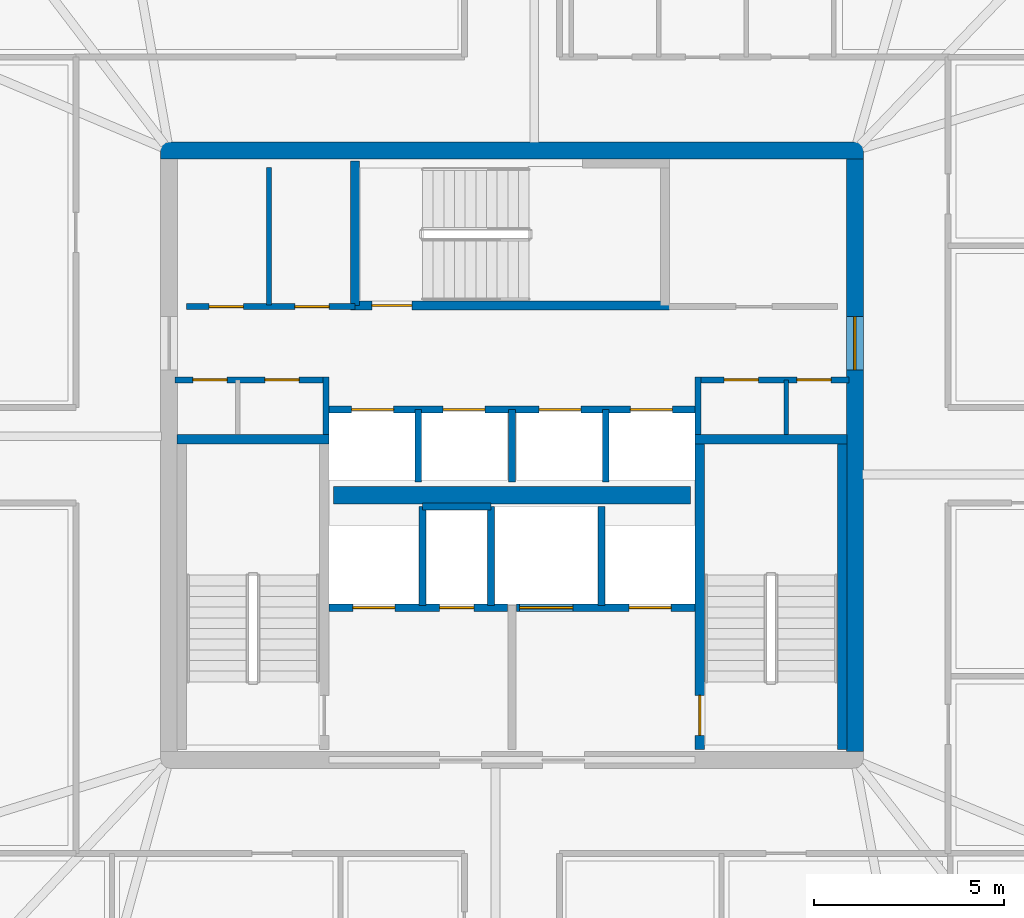
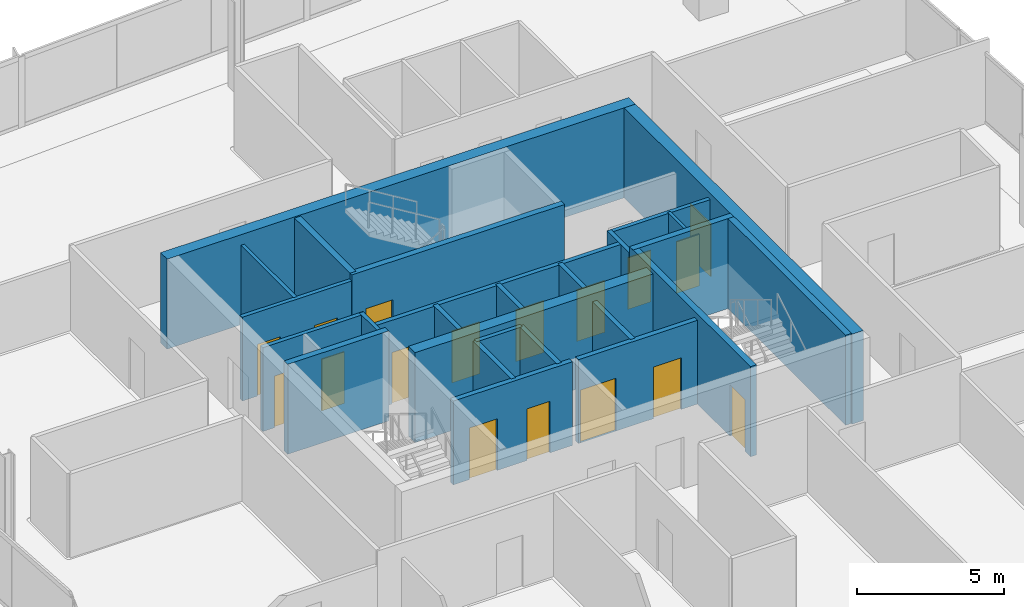
# One storey, part 18 of 23: 26 walls, 17 doors, 17 openings.
"""IFC4 building model written with IfcOpenShell, lengths in metres."""

import ifcopenshell
import ifcopenshell.guid

model = None  # the IFC model being written
_history = None  # IfcOwnerHistory: only IFC2X3 demands one
_inside = {}  # id of a spatial element -> (the spatial element, [elements in it])
_under = {}  # id of a project, library or spatial element -> (it, [spatial elements below it])
_declared = {}  # id of a project -> (the project, [libraries it declares])
_typed = {}  # id of a type object -> (the type object, [elements of that type])
_made_of = {}  # id of a material, layer set ... -> (it, [elements and type objects made of it])


def new_model(schema):
    """Start an empty IFC model of exactly this schema.

    Asked for "IFC4X3", IfcOpenShell would pick the latest addendum, in which some entities
    have other attributes; the version numbers below select the first issue.
    IFC2X3 requires an IfcOwnerHistory on every rooted entity: one is made here for all.
    """
    global model, _history
    if schema == "IFC4X3":
        model = ifcopenshell.file(schema_version=(4, 3, 0, 0))
    else:
        model = ifcopenshell.file(schema=schema)
    _inside.clear()
    _under.clear()
    _declared.clear()
    _typed.clear()
    _made_of.clear()
    _history = None
    if model.schema == "IFC2X3":
        org = make("IfcOrganization", Name="unknown")
        user = make(
            "IfcPersonAndOrganization",
            ThePerson=make("IfcPerson", FamilyName="unknown"),
            TheOrganization=org,
        )
        app = make(
            "IfcApplication",
            ApplicationDeveloper=org,
            Version="unknown",
            ApplicationFullName="unknown",
            ApplicationIdentifier="unknown",
        )
        _history = make(
            "IfcOwnerHistory",
            OwningUser=user,
            OwningApplication=app,
            ChangeAction="ADDED",
            CreationDate=0,
        )
    return model


def make(cls, **values):
    """One entity of the class cls with the attributes given. An attribute that is None is left unset."""
    return model.create_entity(
        cls, **{name: value for name, value in values.items() if value is not None}
    )


def rooted(cls, **values):
    """An entity with a GlobalId (a new one), such as an element, a storey or a relation."""
    return make(cls, GlobalId=ifcopenshell.guid.new(), OwnerHistory=_history, **values)


def si_unit(unit_type, name, prefix=None):
    """IfcSIUnit, for example si_unit("LENGTHUNIT", "METRE", prefix="MILLI")."""
    return make("IfcSIUnit", UnitType=unit_type, Prefix=prefix, Name=name)


def assignment(units):
    """IfcUnitAssignment: the units of a project."""
    return None if units is None else make("IfcUnitAssignment", Units=units)


def point(xyz):
    """IfcCartesianPoint."""
    return None if xyz is None else make("IfcCartesianPoint", Coordinates=xyz)


def direction(xyz):
    """IfcDirection."""
    return None if xyz is None else make("IfcDirection", DirectionRatios=xyz)


def frame(location, z_axis=None, x_axis=None):
    """IfcAxis2Placement3D, a coordinate frame: its origin and axes. An axis left out is left unset."""
    return make(
        "IfcAxis2Placement3D",
        Location=point(location),
        Axis=direction(z_axis),
        RefDirection=direction(x_axis),
    )


def frame_2d(location, x_axis=None):
    """IfcAxis2Placement2D, a coordinate frame in the plane: its origin and x axis."""
    return make(
        "IfcAxis2Placement2D", Location=point(location), RefDirection=direction(x_axis)
    )


def origin():
    """The frame at (0, 0, 0) with its axes left unset."""
    return frame((0.0, 0.0, 0.0))


def place(relative_to, where):
    """IfcLocalPlacement: puts the frame where relative to a parent placement (None: the world)."""
    return make(
        "IfcLocalPlacement", PlacementRelTo=relative_to, RelativePlacement=where
    )


def context(
    kind, dimensions, precision=None, world=None, true_north=None, identifier=None
):
    """IfcGeometricRepresentationContext, for example the 3D "Model" context."""
    return make(
        "IfcGeometricRepresentationContext",
        ContextIdentifier=identifier,
        ContextType=kind,
        CoordinateSpaceDimension=dimensions,
        Precision=precision,
        WorldCoordinateSystem=world,
        TrueNorth=true_north,
    )


def subcontext(parent, identifier, kind, view, scale=None):
    """IfcGeometricRepresentationSubContext, for example "Body" below "Model"."""
    return make(
        "IfcGeometricRepresentationSubContext",
        ContextIdentifier=identifier,
        ContextType=kind,
        ParentContext=parent,
        TargetScale=scale,
        TargetView=view,
    )


def project(units=None, contexts=None):
    """IfcProject with its units and contexts."""
    return rooted(
        "IfcProject",
        Name="project",
        RepresentationContexts=contexts,
        UnitsInContext=assignment(units),
    )


def spatial(cls, under=None, at=None, **own):
    """A site, building, storey or space (cls), placed at a placement, below another one or the project."""
    s = rooted(cls, ObjectPlacement=at, **own)
    if under is not None:
        _under.setdefault(under.id(), (under, []))[1].append(s)
    return s


def profile(cls, at=None, kind="AREA", **sizes):
    """A parametric profile (cls). Its sizes go by their IFC names, for example OverallWidth=200.0."""
    return make(cls, ProfileType=kind, Position=at, **sizes)


def rectangle(**sizes):
    """IfcRectangleProfileDef."""
    return profile("IfcRectangleProfileDef", **sizes)


def extrude(swept, where, along, depth):
    """IfcExtrudedAreaSolid: the profile swept, set in the frame where, extruded along a direction by depth."""
    return make(
        "IfcExtrudedAreaSolid",
        SweptArea=swept,
        Position=where,
        ExtrudedDirection=direction(along),
        Depth=depth,
    )


def shape(context_of_items, identifier, shape_type, items):
    """IfcShapeRepresentation: the items that make up one representation, for example the "Body"."""
    return make(
        "IfcShapeRepresentation",
        ContextOfItems=context_of_items,
        RepresentationIdentifier=identifier,
        RepresentationType=shape_type,
        Items=items,
    )


def material(Name=None, Category=None):
    """IfcMaterial."""
    return make("IfcMaterial", Name=Name, Category=Category)


def layer(
    of_material, thickness, ventilated=None, Name=None, Category=None, Priority=None
):
    """IfcMaterialLayer: one layer of a wall or slab, of a material (None: an air gap)."""
    return make(
        "IfcMaterialLayer",
        Material=of_material,
        LayerThickness=thickness,
        IsVentilated=ventilated,
        Name=Name,
        Category=Category,
        Priority=Priority,
    )


def layer_set(layers, Name=None):
    """IfcMaterialLayerSet."""
    return make("IfcMaterialLayerSet", MaterialLayers=layers, LayerSetName=Name)


def made_of(thing, what):
    """Note that an element or type object is made of a material, layer set ...; save() writes the relation."""
    if what is not None:
        _made_of.setdefault(what.id(), (what, []))[1].append(thing)
    return thing


def type_object(cls, material=None, **own):
    """A type object (cls), such as IfcWallType, which elements share."""
    return made_of(rooted(cls, **own), material)


def element(
    cls,
    number,
    at=None,
    inside=None,
    cuts=None,
    type_object=None,
    material=None,
    context=None,
    identifier="Body",
    shape_type=None,
    held_by="IfcProductDefinitionShape",
    body=None,
    shapes=None,
    **own,
):
    """One element of the class cls, such as IfcWall. Its Tag is "e" and its number.

    at: its placement. inside: the storey or other place that contains it. cuts: it is an
    opening in that element (IfcRelVoidsElement). A single representation is given by context,
    identifier, shape_type and body (its items); several are given by shapes. held_by: the class
    of the entity that holds the representations. save() writes the other relations.
    """
    e = rooted(cls, Tag="e%d" % number, ObjectPlacement=at, **own)
    if body is not None:
        shapes = [shape(context, identifier, shape_type, body)]
    if shapes is not None:
        e.Representation = make(held_by, Representations=shapes)
    if inside is not None:
        _inside.setdefault(inside.id(), (inside, []))[1].append(e)
    if cuts is not None:
        rooted(
            "IfcRelVoidsElement", RelatingBuildingElement=cuts, RelatedOpeningElement=e
        )
    if type_object is not None:
        _typed.setdefault(type_object.id(), (type_object, []))[1].append(e)
    return made_of(e, material)


def fill(opening, filler):
    """IfcRelFillsElement: the door or window that sits in an opening."""
    return rooted(
        "IfcRelFillsElement",
        RelatingOpeningElement=opening,
        RelatedBuildingElement=filler,
    )


def aggregate(whole, parts):
    """IfcRelAggregates: a whole, such as a stair, and the parts it consists of."""
    return rooted("IfcRelAggregates", RelatingObject=whole, RelatedObjects=parts)


def save(model, path):
    """Write the relations noted so far, then the file.

    IfcRelAggregates (storeys below a building ...), IfcRelContainedInSpatialStructure (elements
    in a storey), IfcRelDefinesByType, IfcRelAssociatesMaterial and IfcRelDeclares: one each for
    every whole, place, type object, material and project.
    """
    for whole, parts in _under.values():
        aggregate(whole, parts)
    for where, things in _inside.values():
        rooted(
            "IfcRelContainedInSpatialStructure",
            RelatedElements=things,
            RelatingStructure=where,
        )
    for kind, things in _typed.values():
        rooted("IfcRelDefinesByType", RelatedObjects=things, RelatingType=kind)
    for what, things in _made_of.values():
        rooted("IfcRelAssociatesMaterial", RelatedObjects=things, RelatingMaterial=what)
    for by, libraries in _declared.values():
        rooted("IfcRelDeclares", RelatingContext=by, RelatedDefinitions=libraries)
    model.write(path)


model = new_model("IFC4")

# Units and contexts
model_context = context("Model", 3, precision=1e-05, world=origin(), true_north=direction((0.0, 1.0)))
body_context = subcontext(model_context, "Body", "Model", "MODEL_VIEW")
ifc_project = project(units=[si_unit("LENGTHUNIT", "METRE"), si_unit("AREAUNIT", "SQUARE_METRE"), si_unit("VOLUMEUNIT", "CUBIC_METRE"), si_unit("PLANEANGLEUNIT", "RADIAN"), si_unit("MASSUNIT", "GRAM", prefix="KILO")], contexts=[model_context])

# Site, building, storey
site_placement = place(None, origin())
site = spatial("IfcSite", under=ifc_project, at=site_placement, CompositionType="ELEMENT")
building_placement = place(site_placement, origin())
building = spatial("IfcBuilding", under=site, at=building_placement, Name="Haldenkirk Collegiate Tower", CompositionType="ELEMENT")
storey_placement = place(building_placement, frame((0.0, 0.0, 340.199951171875)))
storey = spatial("IfcBuildingStorey", under=building, at=storey_placement, Name="L86", CompositionType="ELEMENT", Elevation=340.199951171875)

# Wall
ifc_material_1 = material(Name="Concrete f'c 55 MPa", Category="concrete")
ifc_layer_1 = layer(ifc_material_1, 0.449951171875)
ifc_layer_set_1 = layer_set([ifc_layer_1], Name="Concrete f'c 55 MPa")
wall_type_1 = type_object("IfcWallType", Name="WL-CORE-450", PredefinedType="SHEAR", material=ifc_layer_set_1)
wall_1_placement = place(storey_placement, frame((26.77490234375, 34.0, 0.0), z_axis=(0.0, 0.0, 1.0), x_axis=(1.0, 0.0, 0.0)))
element("IfcWall", 1, at=wall_1_placement, inside=storey, type_object=wall_type_1, Name="L86 central core shear wall N", PredefinedType="SHEAR", context=body_context, shape_type="SweptSolid", body=[
    extrude(rectangle(XDim=18.4501953125, YDim=0.449951171875, at=frame_2d((9.22509765625, 0.0))), origin(), (0.0, 0.0, 1.0), 3.75),
])

# Wall, opening, door
wall_2_placement = place(storey_placement, frame((45.0, 18.22509765625, 0.0), z_axis=(0.0, 0.0, 1.0), x_axis=(0.0, 1.0, 0.0)))
wall_2 = element("IfcWall", 2, at=wall_2_placement, inside=storey, type_object=wall_type_1, Name="L86 central core shear wall E", PredefinedType="SHEAR", context=body_context, shape_type="SweptSolid", body=[
    extrude(rectangle(XDim=15.5498046875, YDim=0.449951171875, at=frame_2d((7.77490234375, 0.0))), origin(), (0.0, 0.0, 1.0), 3.75),
])
opening_1_placement = place(wall_2_placement, frame((10.014892578125, 0.0, 0.0)))
opening_1 = element("IfcOpeningElement", 3, at=opening_1_placement, cuts=wall_2, Name="Opening D-03", PredefinedType="OPENING", context=body_context, shape_type="SweptSolid", body=[
    extrude(rectangle(XDim=1.39990234375, YDim=2.199951171875, at=frame_2d((0.699951171875, 1.10009765625))), frame((0.0, 0.23486328125, 0.0), z_axis=(0.0, -1.0, 0.0), x_axis=(1.0, 0.0, 0.0)), (0.0, 0.0, 1.0), 0.469970703125),
])
ifc_material_2 = material(Name="Galvanized fire-rated hollow steel door", Category="steel")
ifc_layer_2 = layer(ifc_material_2, 0.06005859375)
ifc_layer_set_2 = layer_set([ifc_layer_2], Name="Galvanized fire-rated hollow steel door")
door_type_1 = type_object("IfcDoorType", Name="DR-LOBBY-FD90-1400", OperationType="NOTDEFINED", PredefinedType="DOOR", material=ifc_layer_set_2)
door_1_placement = place(opening_1_placement, origin())
door_1 = element("IfcDoor", 4, at=door_1_placement, inside=storey, type_object=door_type_1, Name="L86 east lift lobby portal", OperationType="DOUBLE_DOOR_SINGLE_SWING", OverallHeight=2.199951171875, OverallWidth=1.39990234375, PredefinedType="DOOR", context=body_context, shape_type="SweptSolid", body=[
    extrude(rectangle(XDim=1.39990234375, YDim=2.199951171875, at=frame_2d((0.699951171875, 1.10009765625))), frame((0.0, 0.02490234375, 0.0), z_axis=(0.0, -1.0, 0.0), x_axis=(1.0, 0.0, 0.0)), (0.0, 0.0, 1.0), 0.050048828125),
])
fill(opening_1, door_1)

# Wall
wall_3_placement = place(storey_placement, frame((31.31005859375, 24.949951171875, 0.0), z_axis=(0.0, 0.0, 1.0), x_axis=(1.0, 0.0, 0.0)))
element("IfcWall", 5, at=wall_3_placement, inside=storey, type_object=wall_type_1, Name="L86 central core spine shear wall", PredefinedType="SHEAR", context=body_context, shape_type="SweptSolid", body=[
    extrude(rectangle(XDim=9.3798828125, YDim=0.449951171875, at=frame_2d((4.68994140625, 0.0))), origin(), (0.0, 0.0, 1.0), 3.75),
])

# Wall, openings, doors
ifc_material_3 = material(Name="Acoustic fire-rated gypsum partition", Category="concrete")
ifc_layer_3 = layer(ifc_material_3, 0.159912109375)
ifc_layer_set_3 = layer_set([ifc_layer_3], Name="Acoustic fire-rated gypsum partition")
wall_type_2 = type_object("IfcWallType", Name="WL-INT-CORR-160", PredefinedType="PARTITIONING", material=ifc_layer_set_3)
wall_4_placement = place(storey_placement, frame((27.14990234375, 27.97998046875, 0.0), z_axis=(0.0, 0.0, 1.0), x_axis=(1.0, 0.0, 0.0)))
wall_4 = element("IfcWall", 6, at=wall_4_placement, inside=storey, type_object=wall_type_2, Name="L86 interior partition IW-L86-VCSW-N", PredefinedType="PARTITIONING", context=body_context, shape_type="SweptSolid", body=[
    extrude(rectangle(XDim=4.050048828125, YDim=0.159912109375, at=frame_2d((2.02490234375, 0.0))), origin(), (0.0, 0.0, 1.0), 3.489990234375),
])
opening_2_placement = place(wall_4_placement, frame((0.469970703125, 0.0, 0.0)))
opening_2 = element("IfcOpeningElement", 7, at=opening_2_placement, cuts=wall_4, Name="Opening D-11", PredefinedType="OPENING", context=body_context, shape_type="SweptSolid", body=[
    extrude(rectangle(XDim=0.89990234375, YDim=2.14990234375, at=frame_2d((0.449951171875, 1.074951171875))), frame((0.0, 0.08984375, 0.0), z_axis=(0.0, -1.0, 0.0), x_axis=(1.0, 0.0, 0.0)), (0.0, 0.0, 1.0), 0.179931640625),
])
opening_3_placement = place(wall_4_placement, frame((2.360107421875, 0.0, 0.0)))
opening_3 = element("IfcOpeningElement", 8, at=opening_3_placement, cuts=wall_4, Name="Opening D-11", PredefinedType="OPENING", context=body_context, shape_type="SweptSolid", body=[
    extrude(rectangle(XDim=0.89990234375, YDim=2.14990234375, at=frame_2d((0.449951171875, 1.074951171875))), frame((0.0, 0.08984375, 0.0), z_axis=(0.0, -1.0, 0.0), x_axis=(1.0, 0.0, 0.0)), (0.0, 0.0, 1.0), 0.179931640625),
])
ifc_material_4 = material(Name="Solid-core architectural oak fire door", Category="wood")
ifc_layer_4 = layer(ifc_material_4, 0.06005859375)
ifc_layer_set_4 = layer_set([ifc_layer_4], Name="Solid-core architectural oak fire door")
door_type_2 = type_object("IfcDoorType", Name="DR-INT-FD60-900", OperationType="NOTDEFINED", PredefinedType="DOOR", material=ifc_layer_set_4)
door_2_placement = place(opening_2_placement, origin())
door_2 = element("IfcDoor", 9, at=door_2_placement, inside=storey, type_object=door_type_2, Name="L86 core AV closet door", OperationType="SINGLE_SWING_LEFT", OverallHeight=2.14990234375, OverallWidth=0.89990234375, PredefinedType="DOOR", context=body_context, shape_type="SweptSolid", body=[
    extrude(rectangle(XDim=0.89990234375, YDim=2.14990234375, at=frame_2d((0.449951171875, 1.074951171875))), frame((0.0, 0.02490234375, 0.0), z_axis=(0.0, -1.0, 0.0), x_axis=(1.0, 0.0, 0.0)), (0.0, 0.0, 1.0), 0.050048828125),
])
fill(opening_2, door_2)
door_3_placement = place(opening_3_placement, origin())
door_3 = element("IfcDoor", 10, at=door_3_placement, inside=storey, type_object=door_type_2, Name="L86 core supply closet door", OperationType="SINGLE_SWING_RIGHT", OverallHeight=2.14990234375, OverallWidth=0.89990234375, PredefinedType="DOOR", context=body_context, shape_type="SweptSolid", body=[
    extrude(rectangle(XDim=0.89990234375, YDim=2.14990234375, at=frame_2d((0.449951171875, 1.074951171875))), frame((0.0, 0.02490234375, 0.0), z_axis=(0.0, -1.0, 0.0), x_axis=(1.0, 0.0, 0.0)), (0.0, 0.0, 1.0), 0.050048828125),
])
fill(opening_3, door_3)

# Wall
wall_5_placement = place(storey_placement, frame((31.1201171875, 26.5400390625, 0.0), z_axis=(0.0, 0.0, 1.0), x_axis=(0.0, 1.0, 0.0)))
element("IfcWall", 11, at=wall_5_placement, inside=storey, type_object=wall_type_2, Name="L86 interior partition IW-L86-VCSW-E", PredefinedType="PARTITIONING", context=body_context, shape_type="SweptSolid", body=[
    extrude(rectangle(XDim=1.510009765625, YDim=0.159912109375, at=frame_2d((0.7548828125, 0.0))), origin(), (0.0, 0.0, 1.0), 3.489990234375),
])

# Wall, openings, doors
wall_6_placement = place(storey_placement, frame((40.800048828125, 27.97998046875, 0.0), z_axis=(0.0, 0.0, 1.0), x_axis=(1.0, 0.0, 0.0)))
wall_6 = element("IfcWall", 12, at=wall_6_placement, inside=storey, type_object=wall_type_2, Name="L86 interior partition IW-L86-VCSE-N", PredefinedType="PARTITIONING", context=body_context, shape_type="SweptSolid", body=[
    extrude(rectangle(XDim=4.050048828125, YDim=0.159912109375, at=frame_2d((2.02490234375, 0.0))), origin(), (0.0, 0.0, 1.0), 3.489990234375),
])
opening_4_placement = place(wall_6_placement, frame((0.77001953125, 0.0, 0.0)))
opening_4 = element("IfcOpeningElement", 13, at=opening_4_placement, cuts=wall_6, Name="Opening D-11", PredefinedType="OPENING", context=body_context, shape_type="SweptSolid", body=[
    extrude(rectangle(XDim=0.89990234375, YDim=2.14990234375, at=frame_2d((0.449951171875, 1.074951171875))), frame((0.0, 0.08984375, 0.0), z_axis=(0.0, -1.0, 0.0), x_axis=(1.0, 0.0, 0.0)), (0.0, 0.0, 1.0), 0.179931640625),
])
opening_5_placement = place(wall_6_placement, frame((2.679931640625, 0.0, 0.0)))
opening_5 = element("IfcOpeningElement", 14, at=opening_5_placement, cuts=wall_6, Name="Opening D-11", PredefinedType="OPENING", context=body_context, shape_type="SweptSolid", body=[
    extrude(rectangle(XDim=0.89990234375, YDim=2.14990234375, at=frame_2d((0.449951171875, 1.074951171875))), frame((0.0, 0.08984375, 0.0), z_axis=(0.0, -1.0, 0.0), x_axis=(1.0, 0.0, 0.0)), (0.0, 0.0, 1.0), 0.179931640625),
])
door_4_placement = place(opening_4_placement, origin())
door_4 = element("IfcDoor", 15, at=door_4_placement, inside=storey, type_object=door_type_2, Name="L86 core archive door", OperationType="SINGLE_SWING_LEFT", OverallHeight=2.14990234375, OverallWidth=0.89990234375, PredefinedType="DOOR", context=body_context, shape_type="SweptSolid", body=[
    extrude(rectangle(XDim=0.89990234375, YDim=2.14990234375, at=frame_2d((0.449951171875, 1.074951171875))), frame((0.0, 0.02490234375, 0.0), z_axis=(0.0, -1.0, 0.0), x_axis=(1.0, 0.0, 0.0)), (0.0, 0.0, 1.0), 0.050048828125),
])
fill(opening_4, door_4)
door_5_placement = place(opening_5_placement, origin())
door_5 = element("IfcDoor", 16, at=door_5_placement, inside=storey, type_object=door_type_2, Name="L86 core telecom door", OperationType="SINGLE_SWING_RIGHT", OverallHeight=2.14990234375, OverallWidth=0.89990234375, PredefinedType="DOOR", context=body_context, shape_type="SweptSolid", body=[
    extrude(rectangle(XDim=0.89990234375, YDim=2.14990234375, at=frame_2d((0.449951171875, 1.074951171875))), frame((0.0, 0.02490234375, 0.0), z_axis=(0.0, -1.0, 0.0), x_axis=(1.0, 0.0, 0.0)), (0.0, 0.0, 1.0), 0.050048828125),
])
fill(opening_5, door_5)

# Wall
wall_7_placement = place(storey_placement, frame((40.8798828125, 26.5400390625, 0.0), z_axis=(0.0, 0.0, 1.0), x_axis=(0.0, 1.0, 0.0)))
element("IfcWall", 17, at=wall_7_placement, inside=storey, type_object=wall_type_2, Name="L86 interior partition IW-L86-VCSE-W", PredefinedType="PARTITIONING", context=body_context, shape_type="SweptSolid", body=[
    extrude(rectangle(XDim=1.510009765625, YDim=0.159912109375, at=frame_2d((0.7548828125, 0.0))), origin(), (0.0, 0.0, 1.0), 3.489990234375),
])

# Wall, openings, doors
wall_8_placement = place(storey_placement, frame((27.449951171875, 29.89990234375, 0.0), z_axis=(0.0, 0.0, 1.0), x_axis=(1.0, 0.0, 0.0)))
wall_8 = element("IfcWall", 18, at=wall_8_placement, inside=storey, type_object=wall_type_2, Name="L86 interior partition IW-L86-PLS", PredefinedType="PARTITIONING", context=body_context, shape_type="SweptSolid", body=[
    extrude(rectangle(XDim=4.429931640625, YDim=0.159912109375, at=frame_2d((2.21484375, 0.0))), origin(), (0.0, 0.0, 1.0), 3.489990234375),
])
opening_6_placement = place(wall_8_placement, frame((0.60009765625, 0.0, 0.0)))
opening_6 = element("IfcOpeningElement", 19, at=opening_6_placement, cuts=wall_8, Name="Opening D-11", PredefinedType="OPENING", context=body_context, shape_type="SweptSolid", body=[
    extrude(rectangle(XDim=0.89990234375, YDim=2.14990234375, at=frame_2d((0.449951171875, 1.074951171875))), frame((0.0, 0.08984375, 0.0), z_axis=(0.0, -1.0, 0.0), x_axis=(1.0, 0.0, 0.0)), (0.0, 0.0, 1.0), 0.179931640625),
])
opening_7_placement = place(wall_8_placement, frame((2.85009765625, 0.0, 0.0)))
opening_7 = element("IfcOpeningElement", 20, at=opening_7_placement, cuts=wall_8, Name="Opening D-11", PredefinedType="OPENING", context=body_context, shape_type="SweptSolid", body=[
    extrude(rectangle(XDim=0.89990234375, YDim=2.14990234375, at=frame_2d((0.449951171875, 1.074951171875))), frame((0.0, 0.08984375, 0.0), z_axis=(0.0, -1.0, 0.0), x_axis=(1.0, 0.0, 0.0)), (0.0, 0.0, 1.0), 0.179931640625),
])
door_6_placement = place(opening_6_placement, origin())
door_6 = element("IfcDoor", 21, at=door_6_placement, inside=storey, type_object=door_type_2, Name="L86 tea kitchen door", OperationType="SINGLE_SWING_LEFT", OverallHeight=2.14990234375, OverallWidth=0.89990234375, PredefinedType="DOOR", context=body_context, shape_type="SweptSolid", body=[
    extrude(rectangle(XDim=0.89990234375, YDim=2.14990234375, at=frame_2d((0.449951171875, 1.074951171875))), frame((0.0, 0.02490234375, 0.0), z_axis=(0.0, -1.0, 0.0), x_axis=(1.0, 0.0, 0.0)), (0.0, 0.0, 1.0), 0.050048828125),
])
fill(opening_6, door_6)
door_7_placement = place(opening_7_placement, origin())
door_7 = element("IfcDoor", 22, at=door_7_placement, inside=storey, type_object=door_type_2, Name="L86 IT room door", OperationType="SINGLE_SWING_RIGHT", OverallHeight=2.14990234375, OverallWidth=0.89990234375, PredefinedType="DOOR", context=body_context, shape_type="SweptSolid", body=[
    extrude(rectangle(XDim=0.89990234375, YDim=2.14990234375, at=frame_2d((0.449951171875, 1.074951171875))), frame((0.0, 0.02490234375, 0.0), z_axis=(0.0, -1.0, 0.0), x_axis=(1.0, 0.0, 0.0)), (0.0, 0.0, 1.0), 0.050048828125),
])
fill(opening_7, door_7)

# Walls
ifc_layer_5 = layer(ifc_material_3, 0.139892578125)
ifc_layer_set_5 = layer_set([ifc_layer_5], Name="Acoustic fire-rated gypsum partition")
wall_type_3 = type_object("IfcWallType", Name="WL-INT-DIV-140", PredefinedType="PARTITIONING", material=ifc_layer_set_5)
wall_9_placement = place(storey_placement, frame((29.6201171875, 29.949951171875, 0.0), z_axis=(0.0, 0.0, 1.0), x_axis=(0.0, 1.0, 0.0)))
element("IfcWall", 23, at=wall_9_placement, inside=storey, type_object=wall_type_3, Name="L86 interior partition IW-L86-PLDIV", PredefinedType="PARTITIONING", context=body_context, shape_type="SweptSolid", body=[
    extrude(rectangle(XDim=3.60009765625, YDim=0.139892578125, at=frame_2d((1.800048828125, 0.0))), origin(), (0.0, 0.0, 1.0), 3.489990234375),
])
ifc_material_5 = material(Name="Fire-rated gypsum shaftboard assembly", Category="concrete")
ifc_layer_6 = layer(ifc_material_5, 0.179931640625)
ifc_layer_set_6 = layer_set([ifc_layer_6], Name="Fire-rated gypsum shaftboard assembly")
wall_type_4 = type_object("IfcWallType", Name="WL-INT-SHAFT-180", PredefinedType="PARTITIONING", material=ifc_layer_set_6)
for number, where, z_axis, x_axis, name in (
    (24, (33.64990234375, 22.050048828125, 0.0), (0.0, 0.0, 1.0), (0.0, 1.0, 0.0), "L86 interior partition IW-L86-FL1E"),
    (25, (35.449951171875, 22.050048828125, 0.0), (0.0, 0.0, 1.0), (0.0, 1.0, 0.0), "L86 interior partition IW-L86-GL1W"),
):
    element("IfcWall", number, at=place(storey_placement, frame(where, z_axis=z_axis, x_axis=x_axis)), inside=storey, type_object=wall_type_4, Name=name, PredefinedType="PARTITIONING", context=body_context, shape_type="SweptSolid", body=[
        extrude(rectangle(XDim=2.599853515625, YDim=0.179931640625, at=frame_2d((1.2998046875, 0.0))), origin(), (0.0, 0.0, 1.0), 3.489990234375),
    ])
wall_10_placement = place(storey_placement, frame((33.64990234375, 24.64990234375, 0.0), z_axis=(0.0, 0.0, 1.0), x_axis=(1.0, 0.0, 0.0)))
element("IfcWall", 26, at=wall_10_placement, inside=storey, type_object=wall_type_4, Name="L86 interior partition IW-L86-RSRN", PredefinedType="PARTITIONING", context=body_context, shape_type="SweptSolid", body=[
    extrude(rectangle(XDim=1.800048828125, YDim=0.179931640625, at=frame_2d((0.89990234375, 0.0))), origin(), (0.0, 0.0, 1.0), 3.489990234375),
])
wall_11_placement = place(storey_placement, frame((38.35009765625, 22.050048828125, 0.0), z_axis=(0.0, 0.0, 1.0), x_axis=(0.0, 1.0, 0.0)))
element("IfcWall", 27, at=wall_11_placement, inside=storey, type_object=wall_type_4, Name="L86 interior partition IW-L86-GL1E", PredefinedType="PARTITIONING", context=body_context, shape_type="SweptSolid", body=[
    extrude(rectangle(XDim=2.599853515625, YDim=0.179931640625, at=frame_2d((1.2998046875, 0.0))), origin(), (0.0, 0.0, 1.0), 3.489990234375),
])

# Wall, openings, doors
wall_12_placement = place(storey_placement, frame((31.199951171875, 27.199951171875, 0.0), z_axis=(0.0, 0.0, 1.0), x_axis=(1.0, 0.0, 0.0)))
wall_12 = element("IfcWall", 28, at=wall_12_placement, inside=storey, type_object=wall_type_4, Name="L86 interior partition IW-L86-PHN", PredefinedType="PARTITIONING", context=body_context, shape_type="SweptSolid", body=[
    extrude(rectangle(XDim=9.60009765625, YDim=0.179931640625, at=frame_2d((4.800048828125, 0.0))), origin(), (0.0, 0.0, 1.0), 3.489990234375),
])
opening_8_placement = place(wall_12_placement, frame((0.590087890625, 0.0, 0.0)))
opening_8 = element("IfcOpeningElement", 29, at=opening_8_placement, cuts=wall_12, Name="Opening LD-11", PredefinedType="OPENING", context=body_context, shape_type="SweptSolid", body=[
    extrude(rectangle(XDim=1.10009765625, YDim=2.14990234375, at=frame_2d((0.550048828125, 1.074951171875))), frame((0.0, 0.099853515625, 0.0), z_axis=(0.0, -1.0, 0.0), x_axis=(1.0, 0.0, 0.0)), (0.0, 0.0, 1.0), 0.199951171875),
])
opening_9_placement = place(wall_12_placement, frame((2.989990234375, 0.0, 0.0)))
opening_9 = element("IfcOpeningElement", 30, at=opening_9_placement, cuts=wall_12, Name="Opening LD-11", PredefinedType="OPENING", context=body_context, shape_type="SweptSolid", body=[
    extrude(rectangle(XDim=1.10009765625, YDim=2.14990234375, at=frame_2d((0.550048828125, 1.074951171875))), frame((0.0, 0.099853515625, 0.0), z_axis=(0.0, -1.0, 0.0), x_axis=(1.0, 0.0, 0.0)), (0.0, 0.0, 1.0), 0.199951171875),
])
opening_10_placement = place(wall_12_placement, frame((5.510009765625, 0.0, 0.0)))
opening_10 = element("IfcOpeningElement", 31, at=opening_10_placement, cuts=wall_12, Name="Opening LD-11", PredefinedType="OPENING", context=body_context, shape_type="SweptSolid", body=[
    extrude(rectangle(XDim=1.10009765625, YDim=2.14990234375, at=frame_2d((0.550048828125, 1.074951171875))), frame((0.0, 0.099853515625, 0.0), z_axis=(0.0, -1.0, 0.0), x_axis=(1.0, 0.0, 0.0)), (0.0, 0.0, 1.0), 0.199951171875),
])
opening_11_placement = place(wall_12_placement, frame((7.909912109375, 0.0, 0.0)))
opening_11 = element("IfcOpeningElement", 32, at=opening_11_placement, cuts=wall_12, Name="Opening LD-11", PredefinedType="OPENING", context=body_context, shape_type="SweptSolid", body=[
    extrude(rectangle(XDim=1.10009765625, YDim=2.14990234375, at=frame_2d((0.550048828125, 1.074951171875))), frame((0.0, 0.099853515625, 0.0), z_axis=(0.0, -1.0, 0.0), x_axis=(1.0, 0.0, 0.0)), (0.0, 0.0, 1.0), 0.199951171875),
])
ifc_material_6 = material(Name="Brushed architectural stainless steel", Category="steel")
ifc_layer_7 = layer(ifc_material_6, 0.06005859375)
ifc_layer_set_7 = layer_set([ifc_layer_7], Name="Brushed architectural stainless steel")
door_type_3 = type_object("IfcDoorType", Name="LD-PASS-1100", OperationType="NOTDEFINED", PredefinedType="DOOR", material=ifc_layer_set_7)
door_8_placement = place(opening_8_placement, origin())
door_8 = element("IfcDoor", 33, at=door_8_placement, inside=storey, type_object=door_type_3, Name="L86 Elevator PH1 sliding landing door", OperationType="SLIDING_TO_LEFT", OverallHeight=2.14990234375, OverallWidth=1.10009765625, PredefinedType="DOOR", context=body_context, shape_type="SweptSolid", body=[
    extrude(rectangle(XDim=1.10009765625, YDim=2.14990234375, at=frame_2d((0.550048828125, 1.074951171875))), frame((0.0, 0.02490234375, 0.0), z_axis=(0.0, -1.0, 0.0), x_axis=(1.0, 0.0, 0.0)), (0.0, 0.0, 1.0), 0.050048828125),
])
fill(opening_8, door_8)
door_9_placement = place(opening_9_placement, origin())
door_9 = element("IfcDoor", 34, at=door_9_placement, inside=storey, type_object=door_type_3, Name="L86 Elevator PH2 sliding landing door", OperationType="SLIDING_TO_LEFT", OverallHeight=2.14990234375, OverallWidth=1.10009765625, PredefinedType="DOOR", context=body_context, shape_type="SweptSolid", body=[
    extrude(rectangle(XDim=1.10009765625, YDim=2.14990234375, at=frame_2d((0.550048828125, 1.074951171875))), frame((0.0, 0.02490234375, 0.0), z_axis=(0.0, -1.0, 0.0), x_axis=(1.0, 0.0, 0.0)), (0.0, 0.0, 1.0), 0.050048828125),
])
fill(opening_9, door_9)
door_10_placement = place(opening_10_placement, origin())
door_10 = element("IfcDoor", 35, at=door_10_placement, inside=storey, type_object=door_type_3, Name="L86 Elevator PH3 sliding landing door", OperationType="SLIDING_TO_LEFT", OverallHeight=2.14990234375, OverallWidth=1.10009765625, PredefinedType="DOOR", context=body_context, shape_type="SweptSolid", body=[
    extrude(rectangle(XDim=1.10009765625, YDim=2.14990234375, at=frame_2d((0.550048828125, 1.074951171875))), frame((0.0, 0.02490234375, 0.0), z_axis=(0.0, -1.0, 0.0), x_axis=(1.0, 0.0, 0.0)), (0.0, 0.0, 1.0), 0.050048828125),
])
fill(opening_10, door_10)
door_11_placement = place(opening_11_placement, origin())
door_11 = element("IfcDoor", 36, at=door_11_placement, inside=storey, type_object=door_type_3, Name="L86 Elevator PH4 sliding landing door", OperationType="SLIDING_TO_LEFT", OverallHeight=2.14990234375, OverallWidth=1.10009765625, PredefinedType="DOOR", context=body_context, shape_type="SweptSolid", body=[
    extrude(rectangle(XDim=1.10009765625, YDim=2.14990234375, at=frame_2d((0.550048828125, 1.074951171875))), frame((0.0, 0.02490234375, 0.0), z_axis=(0.0, -1.0, 0.0), x_axis=(1.0, 0.0, 0.0)), (0.0, 0.0, 1.0), 0.050048828125),
])
fill(opening_11, door_11)

# Walls
for number, where, z_axis, x_axis, name in (
    (37, (33.5400390625, 25.300048828125, 0.0), (0.0, 0.0, 1.0), (0.0, 1.0, 0.0), "L86 interior partition IW-L86-PHV1"),
    (38, (36.0, 25.300048828125, 0.0), (0.0, 0.0, 1.0), (0.0, 1.0, 0.0), "L86 interior partition IW-L86-PHV2"),
    (39, (38.4599609375, 25.300048828125, 0.0), (0.0, 0.0, 1.0), (0.0, 1.0, 0.0), "L86 interior partition IW-L86-PHV3"),
):
    element("IfcWall", number, at=place(storey_placement, frame(where, z_axis=z_axis, x_axis=x_axis)), inside=storey, type_object=wall_type_4, Name=name, PredefinedType="PARTITIONING", context=body_context, shape_type="SweptSolid", body=[
        extrude(rectangle(XDim=1.89990234375, YDim=0.179931640625, at=frame_2d((0.949951171875, 0.0))), origin(), (0.0, 0.0, 1.0), 3.489990234375),
    ])

# Wall, openings, doors
ifc_layer_8 = layer(ifc_material_5, 0.199951171875)
ifc_layer_set_8 = layer_set([ifc_layer_8], Name="Fire-rated gypsum shaftboard assembly")
wall_type_5 = type_object("IfcWallType", Name="WL-INT-SHAFT-200", PredefinedType="PARTITIONING", material=ifc_layer_set_8)
wall_13_placement = place(storey_placement, frame((31.18994140625, 22.0, 0.0), z_axis=(0.0, 0.0, 1.0), x_axis=(1.0, 0.0, 0.0)))
wall_13 = element("IfcWall", 40, at=wall_13_placement, inside=storey, type_object=wall_type_5, Name="L86 interior partition IW-L86-FFL1N", PredefinedType="PARTITIONING", context=body_context, shape_type="SweptSolid", body=[
    extrude(rectangle(XDim=4.68994140625, YDim=0.199951171875, at=frame_2d((2.344970703125, 0.0))), origin(), (0.0, 0.0, 1.0), 3.489990234375),
])
opening_12_placement = place(wall_13_placement, frame((2.909912109375, 0.0, 0.0)))
opening_12 = element("IfcOpeningElement", 41, at=opening_12_placement, cuts=wall_13, Name="Opening D-06", PredefinedType="OPENING", context=body_context, shape_type="SweptSolid", body=[
    extrude(rectangle(XDim=0.89990234375, YDim=2.14990234375, at=frame_2d((0.449951171875, 1.074951171875))), frame((0.0, 0.10986328125, 0.0), z_axis=(0.0, -1.0, 0.0), x_axis=(1.0, 0.0, 0.0)), (0.0, 0.0, 1.0), 0.219970703125),
])
opening_13_placement = place(wall_13_placement, frame((0.635009765625, 0.0, 0.0)))
opening_13 = element("IfcOpeningElement", 42, at=opening_13_placement, cuts=wall_13, Name="Opening LD-12", PredefinedType="OPENING", context=body_context, shape_type="SweptSolid", body=[
    extrude(rectangle(XDim=1.10009765625, YDim=2.14990234375, at=frame_2d((0.550048828125, 1.074951171875))), frame((0.0, 0.10986328125, 0.0), z_axis=(0.0, -1.0, 0.0), x_axis=(1.0, 0.0, 0.0)), (0.0, 0.0, 1.0), 0.219970703125),
])
ifc_layer_9 = layer(ifc_material_2, 0.06005859375)
ifc_layer_set_9 = layer_set([ifc_layer_9], Name="Galvanized fire-rated hollow steel door")
door_type_4 = type_object("IfcDoorType", Name="DR-INT-FD90-900", OperationType="NOTDEFINED", PredefinedType="DOOR", material=ifc_layer_set_9)
door_12_placement = place(opening_12_placement, origin())
door_12 = element("IfcDoor", 43, at=door_12_placement, inside=storey, type_object=door_type_4, Name="L86 electrical riser door", OperationType="SINGLE_SWING_LEFT", OverallHeight=2.14990234375, OverallWidth=0.89990234375, PredefinedType="DOOR", context=body_context, shape_type="SweptSolid", body=[
    extrude(rectangle(XDim=0.89990234375, YDim=2.14990234375, at=frame_2d((0.449951171875, 1.074951171875))), frame((0.0, 0.02490234375, 0.0), z_axis=(0.0, -1.0, 0.0), x_axis=(1.0, 0.0, 0.0)), (0.0, 0.0, 1.0), 0.050048828125),
])
fill(opening_12, door_12)
ifc_layer_10 = layer(ifc_material_6, 0.06005859375)
ifc_layer_set_10 = layer_set([ifc_layer_10], Name="Brushed architectural stainless steel")
door_type_5 = type_object("IfcDoorType", Name="LD-FIRE-1100", OperationType="NOTDEFINED", PredefinedType="DOOR", material=ifc_layer_set_10)
door_13_placement = place(opening_13_placement, origin())
door_13 = element("IfcDoor", 44, at=door_13_placement, inside=storey, type_object=door_type_5, Name="L86 Elevator FL1 sliding landing door", OperationType="SLIDING_TO_LEFT", OverallHeight=2.14990234375, OverallWidth=1.10009765625, PredefinedType="DOOR", context=body_context, shape_type="SweptSolid", body=[
    extrude(rectangle(XDim=1.10009765625, YDim=2.14990234375, at=frame_2d((0.550048828125, 1.074951171875))), frame((0.0, 0.02490234375, 0.0), z_axis=(0.0, -1.0, 0.0), x_axis=(1.0, 0.0, 0.0)), (0.0, 0.0, 1.0), 0.050048828125),
])
fill(opening_13, door_13)

wall_14_placement = place(storey_placement, frame((36.1201171875, 22.0, 0.0), z_axis=(0.0, 0.0, 1.0), x_axis=(1.0, 0.0, 0.0)))
wall_14 = element("IfcWall", 45, at=wall_14_placement, inside=storey, type_object=wall_type_5, Name="L86 interior partition IW-L86-FFL2N", PredefinedType="PARTITIONING", context=body_context, shape_type="SweptSolid", body=[
    extrude(rectangle(XDim=4.68994140625, YDim=0.199951171875, at=frame_2d((2.344970703125, 0.0))), origin(), (0.0, 0.0, 1.0), 3.489990234375),
])
opening_14_placement = place(wall_14_placement, frame((2.955078125, 0.0, 0.0)))
opening_14 = element("IfcOpeningElement", 46, at=opening_14_placement, cuts=wall_14, Name="Opening LD-12", PredefinedType="OPENING", context=body_context, shape_type="SweptSolid", body=[
    extrude(rectangle(XDim=1.10009765625, YDim=2.14990234375, at=frame_2d((0.550048828125, 1.074951171875))), frame((0.0, 0.10986328125, 0.0), z_axis=(0.0, -1.0, 0.0), x_axis=(1.0, 0.0, 0.0)), (0.0, 0.0, 1.0), 0.219970703125),
])
opening_15_placement = place(wall_14_placement, frame((0.080078125, 0.0, 0.0)))
opening_15 = element("IfcOpeningElement", 47, at=opening_15_placement, cuts=wall_14, Name="Opening LD-13", PredefinedType="OPENING", context=body_context, shape_type="SweptSolid", body=[
    extrude(rectangle(XDim=1.39990234375, YDim=2.199951171875, at=frame_2d((0.699951171875, 1.10009765625))), frame((0.0, 0.10986328125, 0.0), z_axis=(0.0, -1.0, 0.0), x_axis=(1.0, 0.0, 0.0)), (0.0, 0.0, 1.0), 0.219970703125),
])
door_14_placement = place(opening_14_placement, origin())
door_14 = element("IfcDoor", 48, at=door_14_placement, inside=storey, type_object=door_type_5, Name="L86 Elevator FL2 sliding landing door", OperationType="SLIDING_TO_LEFT", OverallHeight=2.14990234375, OverallWidth=1.10009765625, PredefinedType="DOOR", context=body_context, shape_type="SweptSolid", body=[
    extrude(rectangle(XDim=1.10009765625, YDim=2.14990234375, at=frame_2d((0.550048828125, 1.074951171875))), frame((0.0, 0.02490234375, 0.0), z_axis=(0.0, -1.0, 0.0), x_axis=(1.0, 0.0, 0.0)), (0.0, 0.0, 1.0), 0.050048828125),
])
fill(opening_14, door_14)
ifc_layer_11 = layer(ifc_material_6, 0.06005859375)
ifc_layer_set_11 = layer_set([ifc_layer_11], Name="Brushed architectural stainless steel")
door_type_6 = type_object("IfcDoorType", Name="LD-GOODS-1400", OperationType="NOTDEFINED", PredefinedType="DOOR", material=ifc_layer_set_11)
door_15_placement = place(opening_15_placement, origin())
door_15 = element("IfcDoor", 49, at=door_15_placement, inside=storey, type_object=door_type_6, Name="L86 Elevator GL1 sliding landing door", OperationType="SLIDING_TO_LEFT", OverallHeight=2.199951171875, OverallWidth=1.39990234375, PredefinedType="DOOR", context=body_context, shape_type="SweptSolid", body=[
    extrude(rectangle(XDim=1.39990234375, YDim=2.199951171875, at=frame_2d((0.699951171875, 1.10009765625))), frame((0.0, 0.02490234375, 0.0), z_axis=(0.0, -1.0, 0.0), x_axis=(1.0, 0.0, 0.0)), (0.0, 0.0, 1.0), 0.050048828125),
])
fill(opening_15, door_15)

# Walls
ifc_layer_12 = layer(ifc_material_3, 0.1201171875)
ifc_layer_set_12 = layer_set([ifc_layer_12], Name="Acoustic fire-rated gypsum partition")
wall_type_6 = type_object("IfcWallType", Name="WL-INT-WET-120", PredefinedType="PARTITIONING", material=ifc_layer_set_12)
wall_15_placement = place(storey_placement, frame((43.199951171875, 26.5400390625, 0.0), z_axis=(0.0, 0.0, 1.0), x_axis=(0.0, 1.0, 0.0)))
element("IfcWall", 50, at=wall_15_placement, inside=storey, type_object=wall_type_6, Name="L86 interior partition IW-L86-VCSE-M", PredefinedType="PARTITIONING", context=body_context, shape_type="SweptSolid", body=[
    extrude(rectangle(XDim=1.43994140625, YDim=0.1201171875, at=frame_2d((0.719970703125, 0.0))), origin(), (0.0, 0.0, 1.0), 3.489990234375),
])
ifc_layer_13 = layer(ifc_material_1, 0.239990234375)
ifc_layer_set_13 = layer_set([ifc_layer_13], Name="Concrete f'c 55 MPa")
wall_type_7 = type_object("IfcWallType", Name="WL-SHAFT-240", PredefinedType="SHEAR", material=ifc_layer_set_13)
wall_16_placement = place(storey_placement, frame((27.2099609375, 26.419921875, 0.0), z_axis=(0.0, 0.0, 1.0), x_axis=(1.0, 0.0, 0.0)))
element("IfcWall", 51, at=wall_16_placement, inside=storey, type_object=wall_type_7, Name="L86 stair shaft shear wall SW-L86-ST1N", PredefinedType="SHEAR", context=body_context, shape_type="SweptSolid", body=[
    extrude(rectangle(XDim=3.97998046875, YDim=0.239990234375, at=frame_2d((1.989990234375, 0.0))), origin(), (0.0, 0.0, 1.0), 3.75),
])

# Wall, opening, door
wall_17_placement = place(storey_placement, frame((40.929931640625, 18.280029296875, 0.0), z_axis=(0.0, 0.0, 1.0), x_axis=(0.0, 1.0, 0.0)))
wall_17 = element("IfcWall", 52, at=wall_17_placement, inside=storey, type_object=wall_type_7, Name="L86 stair shaft shear wall SW-L86-ST2W", PredefinedType="SHEAR", context=body_context, shape_type="SweptSolid", body=[
    extrude(rectangle(XDim=8.260009765625, YDim=0.239990234375, at=frame_2d((4.1298828125, 0.0))), origin(), (0.0, 0.0, 1.0), 3.75),
])
opening_16_placement = place(wall_17_placement, frame((0.364990234375, 0.0, 0.0)))
opening_16 = element("IfcOpeningElement", 53, at=opening_16_placement, cuts=wall_17, Name="Opening D-01", PredefinedType="OPENING", context=body_context, shape_type="SweptSolid", body=[
    extrude(rectangle(XDim=1.050048828125, YDim=2.14990234375, at=frame_2d((0.52490234375, 1.074951171875))), frame((0.0, 0.1298828125, 0.0), z_axis=(0.0, -1.0, 0.0), x_axis=(1.0, 0.0, 0.0)), (0.0, 0.0, 1.0), 0.260009765625),
])
ifc_layer_14 = layer(ifc_material_2, 0.06005859375)
ifc_layer_set_14 = layer_set([ifc_layer_14], Name="Galvanized fire-rated hollow steel door")
door_type_7 = type_object("IfcDoorType", Name="DR-STAIR-FD90-1050", OperationType="NOTDEFINED", PredefinedType="DOOR", material=ifc_layer_set_14)
door_16_placement = place(opening_16_placement, origin())
door_16 = element("IfcDoor", 54, at=door_16_placement, inside=storey, type_object=door_type_7, Name="L86 Stair 2 door", OperationType="SINGLE_SWING_RIGHT", OverallHeight=2.14990234375, OverallWidth=1.050048828125, PredefinedType="DOOR", context=body_context, shape_type="SweptSolid", body=[
    extrude(rectangle(XDim=1.050048828125, YDim=2.14990234375, at=frame_2d((0.52490234375, 1.074951171875))), frame((0.0, 0.02490234375, 0.0), z_axis=(0.0, -1.0, 0.0), x_axis=(1.0, 0.0, 0.0)), (0.0, 0.0, 1.0), 0.050048828125),
])
fill(opening_16, door_16)

# Walls
wall_18_placement = place(storey_placement, frame((40.81005859375, 26.419921875, 0.0), z_axis=(0.0, 0.0, 1.0), x_axis=(1.0, 0.0, 0.0)))
element("IfcWall", 55, at=wall_18_placement, inside=storey, type_object=wall_type_7, Name="L86 stair shaft shear wall SW-L86-ST2N", PredefinedType="SHEAR", context=body_context, shape_type="SweptSolid", body=[
    extrude(rectangle(XDim=3.97998046875, YDim=0.239990234375, at=frame_2d((1.989990234375, 0.0))), origin(), (0.0, 0.0, 1.0), 3.75),
])
wall_19_placement = place(storey_placement, frame((44.669921875, 18.280029296875, 0.0), z_axis=(0.0, 0.0, 1.0), x_axis=(0.0, 1.0, 0.0)))
element("IfcWall", 56, at=wall_19_placement, inside=storey, type_object=wall_type_7, Name="L86 stair shaft shear wall SW-L86-ST2E", PredefinedType="SHEAR", context=body_context, shape_type="SweptSolid", body=[
    extrude(rectangle(XDim=8.260009765625, YDim=0.239990234375, at=frame_2d((4.1298828125, 0.0))), origin(), (0.0, 0.0, 1.0), 3.75),
])

# Wall, opening, door
wall_20_placement = place(storey_placement, frame((31.760009765625, 29.929931640625, 0.0), z_axis=(0.0, 0.0, 1.0), x_axis=(1.0, 0.0, 0.0)))
wall_20 = element("IfcWall", 57, at=wall_20_placement, inside=storey, type_object=wall_type_7, Name="L86 stair shaft shear wall SW-L86-ST3S", PredefinedType="SHEAR", context=body_context, shape_type="SweptSolid", body=[
    extrude(rectangle(XDim=8.3798828125, YDim=0.239990234375, at=frame_2d((4.18994140625, 0.0))), origin(), (0.0, 0.0, 1.0), 3.75),
])
opening_17_placement = place(wall_20_placement, frame((0.56494140625, 0.0, 0.0)))
opening_17 = element("IfcOpeningElement", 58, at=opening_17_placement, cuts=wall_20, Name="Opening D-01", PredefinedType="OPENING", context=body_context, shape_type="SweptSolid", body=[
    extrude(rectangle(XDim=1.050048828125, YDim=2.14990234375, at=frame_2d((0.52490234375, 1.074951171875))), frame((0.0, 0.1298828125, 0.0), z_axis=(0.0, -1.0, 0.0), x_axis=(1.0, 0.0, 0.0)), (0.0, 0.0, 1.0), 0.260009765625),
])
door_17_placement = place(opening_17_placement, origin())
door_17 = element("IfcDoor", 59, at=door_17_placement, inside=storey, type_object=door_type_7, Name="L86 lift lobby Stair 3 door", OperationType="SINGLE_SWING_RIGHT", OverallHeight=2.14990234375, OverallWidth=1.050048828125, PredefinedType="DOOR", context=body_context, shape_type="SweptSolid", body=[
    extrude(rectangle(XDim=1.050048828125, YDim=2.14990234375, at=frame_2d((0.52490234375, 1.074951171875))), frame((0.0, 0.02490234375, 0.0), z_axis=(0.0, -1.0, 0.0), x_axis=(1.0, 0.0, 0.0)), (0.0, 0.0, 1.0), 0.050048828125),
])
fill(opening_17, door_17)

# Wall
wall_21_placement = place(storey_placement, frame((31.8798828125, 29.929931640625, 0.0), z_axis=(0.0, 0.0, 1.0), x_axis=(0.0, 1.0, 0.0)))
element("IfcWall", 60, at=wall_21_placement, inside=storey, type_object=wall_type_7, Name="L86 stair shaft shear wall SW-L86-ST3W", PredefinedType="SHEAR", context=body_context, shape_type="SweptSolid", body=[
    extrude(rectangle(XDim=3.7900390625, YDim=0.239990234375, at=frame_2d((1.89501953125, 0.0))), origin(), (0.0, 0.0, 1.0), 3.75),
])

save(model, "model.ifc")
